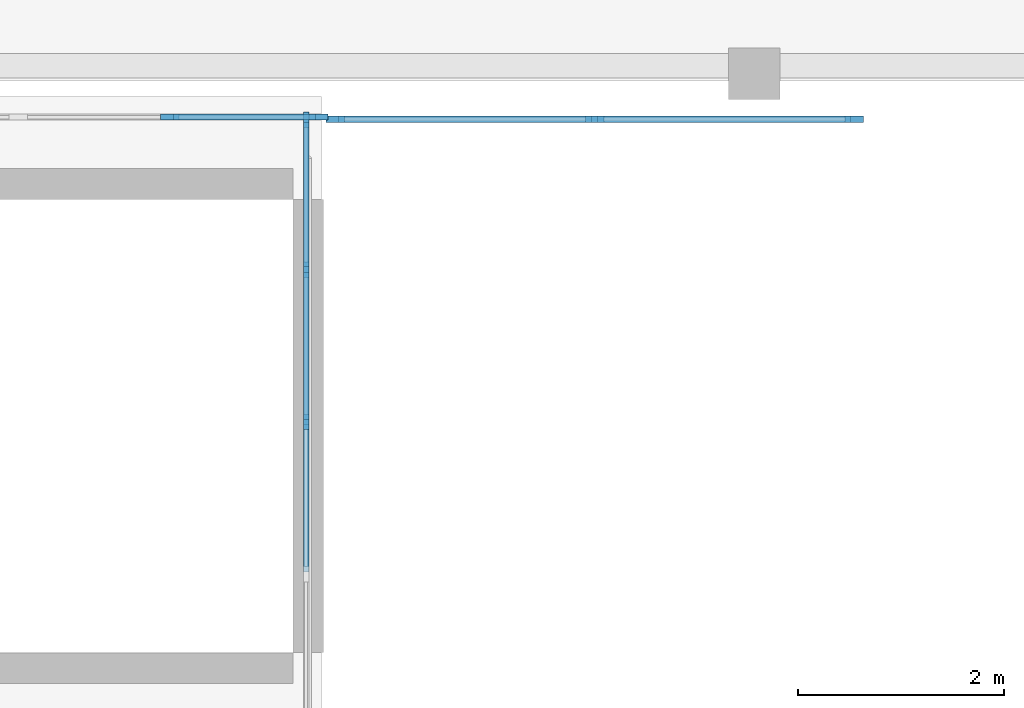
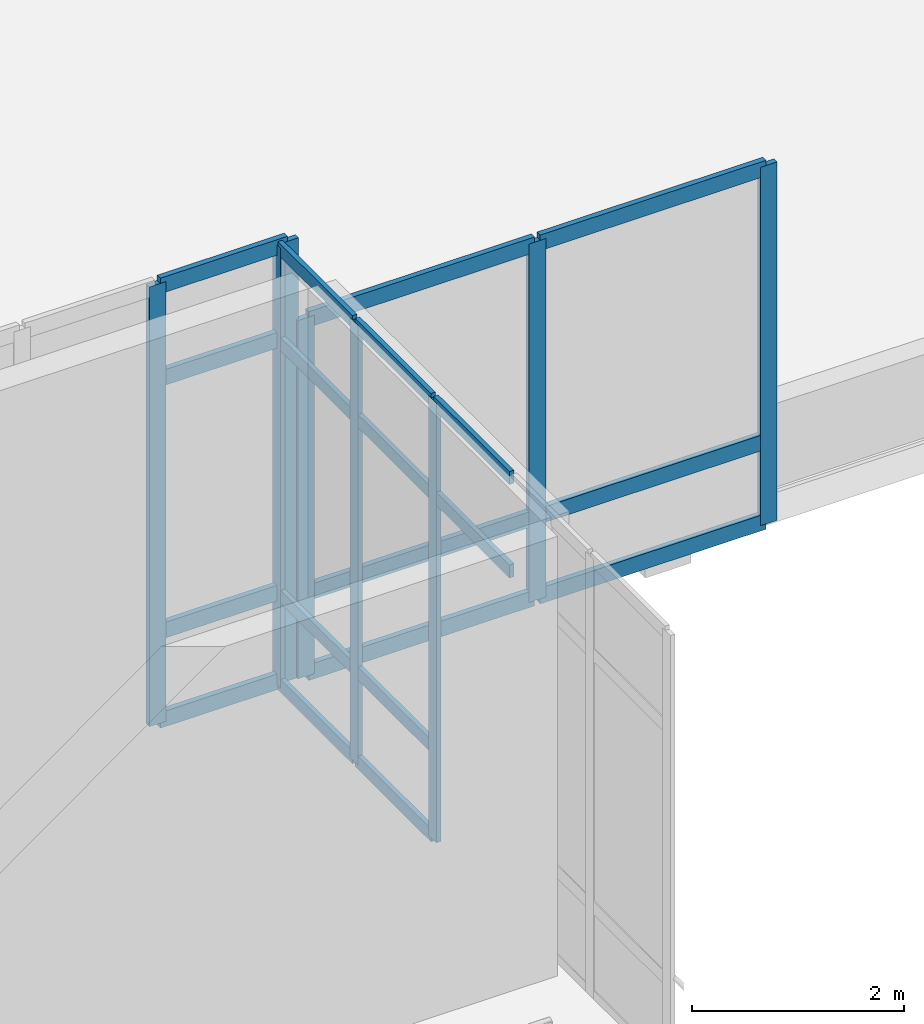
# One storey, part 29 of 55: 28 members, 3 elements without a shape of their own.
"""IFC4 building model written with IfcOpenShell, lengths in metres."""

from ifc_helpers import new_model, si_unit, derived_unit, direction, frame, origin, origin_2d, place, context, subcontext, project, spatial, rectangle, extrude, material, layer, layer_set, material_profile, profile_set, type_object, element, aggregate, save


model = new_model("IFC4")

# Units and contexts
model_context = context("Model", 3, precision=1e-05, world=origin(), true_north=direction((0.0, 1.0)))
body_context = subcontext(model_context, "Body", "Model", "MODEL_VIEW")
ifc_project = project(units=[si_unit("LENGTHUNIT", "METRE"), si_unit("AREAUNIT", "SQUARE_METRE"), si_unit("VOLUMEUNIT", "CUBIC_METRE"), si_unit("PLANEANGLEUNIT", "RADIAN"), si_unit("MASSUNIT", "GRAM", prefix="KILO"), derived_unit("THERMALTRANSMITTANCEUNIT", [(si_unit("MASSUNIT", "GRAM", prefix="KILO"), 1), (si_unit("TIMEUNIT", "SECOND"), -3), (si_unit("THERMODYNAMICTEMPERATUREUNIT", "KELVIN"), -1)])], contexts=[model_context])

# Site, building, storey
site_placement = place(None, origin())
site = spatial("IfcSite", under=ifc_project, at=site_placement, CompositionType="ELEMENT")
building_placement = place(site_placement, origin())
building = spatial("IfcBuilding", under=site, at=building_placement, Name="Valcora Ridge Arena", CompositionType="ELEMENT")
storey_placement = place(building_placement, frame((0.0, 0.0, 21.0)))
storey = spatial("IfcBuildingStorey", under=building, at=storey_placement, Name="L04", CompositionType="ELEMENT", Elevation=21.0)

# Curtain wall, members
ifc_material = material(Name="Anodised dark bronze architectural aluminium 6063-T6", Category="aluminium")
ifc_layer_1 = layer(ifc_material, 0.14990234375, Name="Anodised dark bronze architectural aluminium 6063-T6")
ifc_layer_set_1 = layer_set([ifc_layer_1], Name="Anodised dark bronze architectural aluminium 6063-T6")
curtain_wall_type_1 = type_object("IfcCurtainWallType", Name="TY-CURTAINWALL-CW-V1-EAST-074X51", PredefinedType="NOTDEFINED", material=ifc_layer_set_1)
curtain_wall_1_placement = place(storey_placement, origin())
curtain_wall_1 = element("IfcCurtainWall", 1, at=curtain_wall_1_placement, inside=storey, type_object=curtain_wall_type_1, Name="CW-V1-EAST-074X51 CW-0162", PredefinedType="NOTDEFINED")
ifc_material_profile_1 = material_profile(ifc_material, rectangle(XDim=0.050048828125, YDim=0.14990234375, at=origin_2d()), Name="ALU MULLION 50x150")
ifc_profile_set_1 = profile_set([ifc_material_profile_1], Name="Anodised dark bronze architectural aluminium 6063-T6")
member_type_1 = type_object("IfcMemberType", Name="TY-MEM-CWM-50x150", PredefinedType="MULLION", material=ifc_profile_set_1)
member_1_placement = place(storey_placement, frame((89.64990234375, 105.0400390625, 0.0), z_axis=(0.0, 0.0, 1.0), x_axis=(-1.0, 0.0, 0.0)))
member_1 = element("IfcMember", 2, at=member_1_placement, type_object=member_type_1, Name="CW-0162/CWM-50x150/M03", PredefinedType="MULLION", context=body_context, shape_type="SweptSolid", body=[
    extrude(rectangle(XDim=0.050048828125, YDim=0.14990234375, at=origin_2d()), origin(), (0.0, 0.0, 1.0), 5.06005859375),
])
member_2_placement = place(storey_placement, frame((89.64990234375, 106.52001953125, 0.0), z_axis=(0.0, 0.0, 1.0), x_axis=(-1.0, 0.0, 0.0)))
member_2 = element("IfcMember", 3, at=member_2_placement, type_object=member_type_1, Name="CW-0162/CWM-50x150/M04", PredefinedType="MULLION", context=body_context, shape_type="SweptSolid", body=[
    extrude(rectangle(XDim=0.050048828125, YDim=0.14990234375, at=origin_2d()), origin(), (0.0, 0.0, 1.0), 5.06005859375),
])
member_3_placement = place(storey_placement, frame((89.64990234375, 107.97509765625, 0.0), z_axis=(0.0, 0.0, 1.0), x_axis=(-1.0, 0.0, 0.0)))
member_3 = element("IfcMember", 4, at=member_3_placement, type_object=member_type_1, Name="CW-0162/CWM-50x150/M05", PredefinedType="MULLION", context=body_context, shape_type="SweptSolid", body=[
    extrude(rectangle(XDim=0.050048828125, YDim=0.14990234375, at=origin_2d()), origin(), (0.0, 0.0, 1.0), 5.06005859375),
])

ifc_layer_2 = layer(ifc_material, 0.179931640625, Name="Anodised dark bronze architectural aluminium 6063-T6")
ifc_layer_set_2 = layer_set([ifc_layer_2], Name="Anodised dark bronze architectural aluminium 6063-T6")
curtain_wall_type_2 = type_object("IfcCurtainWallType", Name="TY-CURTAINWALL-CW-V1-GOTH-192X51", PredefinedType="NOTDEFINED", material=ifc_layer_set_2)
curtain_wall_2_placement = place(storey_placement, origin())
curtain_wall_2 = element("IfcCurtainWall", 5, at=curtain_wall_2_placement, inside=storey, type_object=curtain_wall_type_2, Name="CW-V1-GOTH-192X51 CW-0160", PredefinedType="NOTDEFINED")
ifc_material_profile_2 = material_profile(ifc_material, rectangle(XDim=0.06005859375, YDim=0.179931640625, at=origin_2d()), Name="ALU MULLION 60x180")
ifc_profile_set_2 = profile_set([ifc_material_profile_2], Name="Anodised dark bronze architectural aluminium 6063-T6")
member_type_2 = type_object("IfcMemberType", Name="TY-MEM-CWM-60x180", PredefinedType="MULLION", material=ifc_profile_set_2)
member_4_placement = place(storey_placement, frame((88.326171875, 108.0, 0.0), z_axis=(0.0, 0.0, 1.0), x_axis=(0.0, 1.0, 0.0)))
member_4 = element("IfcMember", 6, at=member_4_placement, type_object=member_type_2, Name="CW-0160/CWM-60x180/M12", PredefinedType="MULLION", context=body_context, shape_type="SweptSolid", body=[
    extrude(rectangle(XDim=0.06005859375, YDim=0.179931640625, at=origin_2d()), origin(), (0.0, 0.0, 1.0), 5.06005859375),
])
member_5_placement = place(storey_placement, frame((89.77001953125, 108.0, 0.0), z_axis=(0.0, 0.0, 1.0), x_axis=(0.0, 1.0, 0.0)))
member_5 = element("IfcMember", 7, at=member_5_placement, type_object=member_type_2, Name="CW-0160/CWM-60x180/M13", PredefinedType="MULLION", context=body_context, shape_type="SweptSolid", body=[
    extrude(rectangle(XDim=0.06005859375, YDim=0.179931640625, at=origin_2d()), origin(), (0.0, 0.0, 1.0), 5.06005859375),
])

ifc_layer_3 = layer(ifc_material, 0.179931640625, Name="Anodised dark bronze architectural aluminium 6063-T6")
ifc_layer_set_3 = layer_set([ifc_layer_3], Name="Anodised dark bronze architectural aluminium 6063-T6")
curtain_wall_type_3 = type_object("IfcCurtainWallType", Name="TY-CURTAINWALL-CW-V1-TYMPN-051X41", PredefinedType="NOTDEFINED", material=ifc_layer_set_3)
curtain_wall_3_placement = place(storey_placement, origin())
curtain_wall_3 = element("IfcCurtainWall", 8, at=curtain_wall_3_placement, inside=storey, type_object=curtain_wall_type_3, Name="CW-V1-TYMPN-051X41 CW-0181", PredefinedType="NOTDEFINED")
member_6_placement = place(storey_placement, frame((89.929931640625, 107.97998046875, 0.0), z_axis=(0.0, 0.0, 1.0), x_axis=(0.0, 1.0, 0.0)))
member_6 = element("IfcMember", 9, at=member_6_placement, type_object=member_type_2, Name="CW-0181/CWM-60x180/M00", PredefinedType="MULLION", context=body_context, shape_type="SweptSolid", body=[
    extrude(rectangle(XDim=0.06005859375, YDim=0.179931640625, at=origin_2d()), origin(), (0.0, 0.0, 1.0), 4.12548828125),
])
member_7_placement = place(storey_placement, frame((92.449951171875, 107.97998046875, 0.0), z_axis=(0.0, 0.0, 1.0), x_axis=(0.0, 1.0, 0.0)))
member_7 = element("IfcMember", 10, at=member_7_placement, type_object=member_type_2, Name="CW-0181/CWM-60x180/M01", PredefinedType="MULLION", context=body_context, shape_type="SweptSolid", body=[
    extrude(rectangle(XDim=0.06005859375, YDim=0.179931640625, at=origin_2d()), origin(), (0.0, 0.0, 1.0), 4.12548828125),
])
member_8_placement = place(storey_placement, frame((94.969970703125, 107.97998046875, 0.0), z_axis=(0.0, 0.0, 1.0), x_axis=(0.0, 1.0, 0.0)))
member_8 = element("IfcMember", 11, at=member_8_placement, type_object=member_type_2, Name="CW-0181/CWM-60x180/M02", PredefinedType="MULLION", context=body_context, shape_type="SweptSolid", body=[
    extrude(rectangle(XDim=0.06005859375, YDim=0.179931640625, at=origin_2d()), origin(), (0.0, 0.0, 1.0), 4.12548828125),
])

# Member
ifc_material_profile_3 = material_profile(ifc_material, rectangle(XDim=0.050048828125, YDim=0.14990234375, at=origin_2d()), Name="ALU TRANSOM 50x150")
ifc_profile_set_3 = profile_set([ifc_material_profile_3], Name="Anodised dark bronze architectural aluminium 6063-T6")
member_type_3 = type_object("IfcMemberType", Name="TY-MEM-CWT-50x150", PredefinedType="USERDEFINED", material=ifc_profile_set_3)
member_9_placement = place(storey_placement, frame((89.64990234375, 103.5849609375, 3.9599609375), z_axis=(0.0, 1.0, 0.0), x_axis=(-1.0, 0.0, 0.0)))
member_9 = element("IfcMember", 12, at=member_9_placement, type_object=member_type_3, Name="CW-0162/CWT-50x150/T02-02", ObjectType="TRANSOM", PredefinedType="USERDEFINED", context=body_context, shape_type="SweptSolid", body=[
    extrude(rectangle(XDim=0.050048828125, YDim=0.14990234375, at=origin_2d()), origin(), (0.0, 0.0, 1.0), 1.429931640625),
])

member_10_placement = place(storey_placement, frame((89.64990234375, 103.5849609375, 5.034912109375), z_axis=(0.0, 1.0, 0.0), x_axis=(-1.0, 0.0, 0.0)))
member_10 = element("IfcMember", 13, at=member_10_placement, type_object=member_type_3, Name="CW-0162/CWT-50x150/T02-03", ObjectType="TRANSOM", PredefinedType="USERDEFINED", context=body_context, shape_type="SweptSolid", body=[
    extrude(rectangle(XDim=0.050048828125, YDim=0.14990234375, at=origin_2d()), origin(), (0.0, 0.0, 1.0), 1.429931640625),
])

member_11_placement = place(storey_placement, frame((89.64990234375, 105.06494140625, 0.02490234375), z_axis=(0.0, 1.0, 0.0), x_axis=(-1.0, 0.0, 0.0)))
member_11 = element("IfcMember", 14, at=member_11_placement, type_object=member_type_3, Name="CW-0162/CWT-50x150/T03-00", ObjectType="TRANSOM", PredefinedType="USERDEFINED", context=body_context, shape_type="SweptSolid", body=[
    extrude(rectangle(XDim=0.050048828125, YDim=0.14990234375, at=origin_2d()), origin(), (0.0, 0.0, 1.0), 1.43017578125),
])

member_12_placement = place(storey_placement, frame((89.64990234375, 105.06494140625, 1.050048828125), z_axis=(0.0, 1.0, 0.0), x_axis=(-1.0, 0.0, 0.0)))
member_12 = element("IfcMember", 15, at=member_12_placement, type_object=member_type_3, Name="CW-0162/CWT-50x150/T03-01", ObjectType="TRANSOM", PredefinedType="USERDEFINED", context=body_context, shape_type="SweptSolid", body=[
    extrude(rectangle(XDim=0.050048828125, YDim=0.14990234375, at=origin_2d()), origin(), (0.0, 0.0, 1.0), 1.43017578125),
])

member_13_placement = place(storey_placement, frame((89.64990234375, 105.06494140625, 3.9599609375), z_axis=(0.0, 1.0, 0.0), x_axis=(-1.0, 0.0, 0.0)))
member_13 = element("IfcMember", 16, at=member_13_placement, type_object=member_type_3, Name="CW-0162/CWT-50x150/T03-02", ObjectType="TRANSOM", PredefinedType="USERDEFINED", context=body_context, shape_type="SweptSolid", body=[
    extrude(rectangle(XDim=0.050048828125, YDim=0.14990234375, at=origin_2d()), origin(), (0.0, 0.0, 1.0), 1.43017578125),
])

member_14_placement = place(storey_placement, frame((89.64990234375, 105.06494140625, 5.034912109375), z_axis=(0.0, 1.0, 0.0), x_axis=(-1.0, 0.0, 0.0)))
member_14 = element("IfcMember", 17, at=member_14_placement, type_object=member_type_3, Name="CW-0162/CWT-50x150/T03-03", ObjectType="TRANSOM", PredefinedType="USERDEFINED", context=body_context, shape_type="SweptSolid", body=[
    extrude(rectangle(XDim=0.050048828125, YDim=0.14990234375, at=origin_2d()), origin(), (0.0, 0.0, 1.0), 1.43017578125),
])

member_15_placement = place(storey_placement, frame((89.64990234375, 106.544921875, 0.02490234375), z_axis=(0.0, 1.0, 0.0), x_axis=(-1.0, 0.0, 0.0)))
member_15 = element("IfcMember", 18, at=member_15_placement, type_object=member_type_3, Name="CW-0162/CWT-50x150/T04-00", ObjectType="TRANSOM", PredefinedType="USERDEFINED", context=body_context, shape_type="SweptSolid", body=[
    extrude(rectangle(XDim=0.050048828125, YDim=0.14990234375, at=origin_2d()), origin(), (0.0, 0.0, 1.0), 1.405029296875),
])

member_16_placement = place(storey_placement, frame((89.64990234375, 106.544921875, 1.050048828125), z_axis=(0.0, 1.0, 0.0), x_axis=(-1.0, 0.0, 0.0)))
member_16 = element("IfcMember", 19, at=member_16_placement, type_object=member_type_3, Name="CW-0162/CWT-50x150/T04-01", ObjectType="TRANSOM", PredefinedType="USERDEFINED", context=body_context, shape_type="SweptSolid", body=[
    extrude(rectangle(XDim=0.050048828125, YDim=0.14990234375, at=origin_2d()), origin(), (0.0, 0.0, 1.0), 1.405029296875),
])

member_17_placement = place(storey_placement, frame((89.64990234375, 106.544921875, 3.9599609375), z_axis=(0.0, 1.0, 0.0), x_axis=(-1.0, 0.0, 0.0)))
member_17 = element("IfcMember", 20, at=member_17_placement, type_object=member_type_3, Name="CW-0162/CWT-50x150/T04-02", ObjectType="TRANSOM", PredefinedType="USERDEFINED", context=body_context, shape_type="SweptSolid", body=[
    extrude(rectangle(XDim=0.050048828125, YDim=0.14990234375, at=origin_2d()), origin(), (0.0, 0.0, 1.0), 1.405029296875),
])

member_18_placement = place(storey_placement, frame((89.64990234375, 106.544921875, 5.034912109375), z_axis=(0.0, 1.0, 0.0), x_axis=(-1.0, 0.0, 0.0)))
member_18 = element("IfcMember", 21, at=member_18_placement, type_object=member_type_3, Name="CW-0162/CWT-50x150/T04-03", ObjectType="TRANSOM", PredefinedType="USERDEFINED", context=body_context, shape_type="SweptSolid", body=[
    extrude(rectangle(XDim=0.050048828125, YDim=0.14990234375, at=origin_2d()), origin(), (0.0, 0.0, 1.0), 1.405029296875),
])

aggregate(curtain_wall_1, [member_1, member_2, member_3, member_9, member_10, member_11, member_12, member_13, member_14, member_15, member_16, member_17, member_18])

ifc_material_profile_4 = material_profile(ifc_material, rectangle(XDim=0.06005859375, YDim=0.179931640625, at=origin_2d()), Name="ALU TRANSOM 60x180")
ifc_profile_set_4 = profile_set([ifc_material_profile_4], Name="Anodised dark bronze architectural aluminium 6063-T6")
member_type_4 = type_object("IfcMemberType", Name="TY-MEM-CWT-60x180", PredefinedType="USERDEFINED", material=ifc_profile_set_4)
member_19_placement = place(storey_placement, frame((88.35595703125, 108.0, 0.030029296875), z_axis=(1.0, 0.0, 0.0), x_axis=(0.0, 1.0, 0.0)))
member_19 = element("IfcMember", 22, at=member_19_placement, type_object=member_type_4, Name="CW-0160/CWT-60x180/T12-00", ObjectType="TRANSOM", PredefinedType="USERDEFINED", context=body_context, shape_type="SweptSolid", body=[
    extrude(rectangle(XDim=0.06005859375, YDim=0.179931640625, at=origin_2d()), origin(), (0.0, 0.0, 1.0), 1.384033203125),
])

member_20_placement = place(storey_placement, frame((88.35595703125, 108.0, 1.050048828125), z_axis=(1.0, 0.0, 0.0), x_axis=(0.0, 1.0, 0.0)))
member_20 = element("IfcMember", 23, at=member_20_placement, type_object=member_type_4, Name="CW-0160/CWT-60x180/T12-01", ObjectType="TRANSOM", PredefinedType="USERDEFINED", context=body_context, shape_type="SweptSolid", body=[
    extrude(rectangle(XDim=0.06005859375, YDim=0.179931640625, at=origin_2d()), origin(), (0.0, 0.0, 1.0), 1.384033203125),
])

member_21_placement = place(storey_placement, frame((88.35595703125, 108.0, 3.9599609375), z_axis=(1.0, 0.0, 0.0), x_axis=(0.0, 1.0, 0.0)))
member_21 = element("IfcMember", 24, at=member_21_placement, type_object=member_type_4, Name="CW-0160/CWT-60x180/T12-02", ObjectType="TRANSOM", PredefinedType="USERDEFINED", context=body_context, shape_type="SweptSolid", body=[
    extrude(rectangle(XDim=0.06005859375, YDim=0.179931640625, at=origin_2d()), origin(), (0.0, 0.0, 1.0), 1.384033203125),
])

member_22_placement = place(storey_placement, frame((88.35595703125, 108.0, 5.030029296875), z_axis=(1.0, 0.0, 0.0), x_axis=(0.0, 1.0, 0.0)))
member_22 = element("IfcMember", 25, at=member_22_placement, type_object=member_type_4, Name="CW-0160/CWT-60x180/T12-03", ObjectType="TRANSOM", PredefinedType="USERDEFINED", context=body_context, shape_type="SweptSolid", body=[
    extrude(rectangle(XDim=0.06005859375, YDim=0.179931640625, at=origin_2d()), origin(), (0.0, 0.0, 1.0), 1.384033203125),
])

aggregate(curtain_wall_2, [member_4, member_5, member_19, member_20, member_21, member_22])

member_23_placement = place(storey_placement, frame((89.9599609375, 107.97998046875, 0.030029296875), z_axis=(1.0, 0.0, 0.0), x_axis=(0.0, 1.0, 0.0)))
member_23 = element("IfcMember", 26, at=member_23_placement, type_object=member_type_4, Name="CW-0181/CWT-60x180/T00-00", ObjectType="TRANSOM", PredefinedType="USERDEFINED", context=body_context, shape_type="SweptSolid", body=[
    extrude(rectangle(XDim=0.06005859375, YDim=0.179931640625, at=origin_2d()), origin(), (0.0, 0.0, 1.0), 2.4599609375),
])

member_24_placement = place(storey_placement, frame((89.9599609375, 107.97998046875, 0.949951171875), z_axis=(1.0, 0.0, 0.0), x_axis=(0.0, 1.0, 0.0)))
member_24 = element("IfcMember", 27, at=member_24_placement, type_object=member_type_4, Name="CW-0181/CWT-60x180/T00-01", ObjectType="TRANSOM", PredefinedType="USERDEFINED", context=body_context, shape_type="SweptSolid", body=[
    extrude(rectangle(XDim=0.06005859375, YDim=0.179931640625, at=origin_2d()), origin(), (0.0, 0.0, 1.0), 2.4599609375),
])

member_25_placement = place(storey_placement, frame((89.9599609375, 107.97998046875, 4.095458984375), z_axis=(1.0, 0.0, 0.0), x_axis=(0.0, 1.0, 0.0)))
member_25 = element("IfcMember", 28, at=member_25_placement, type_object=member_type_4, Name="CW-0181/CWT-60x180/T00-02", ObjectType="TRANSOM", PredefinedType="USERDEFINED", context=body_context, shape_type="SweptSolid", body=[
    extrude(rectangle(XDim=0.06005859375, YDim=0.179931640625, at=origin_2d()), origin(), (0.0, 0.0, 1.0), 2.4599609375),
])

member_26_placement = place(storey_placement, frame((92.47998046875, 107.97998046875, 0.030029296875), z_axis=(1.0, 0.0, 0.0), x_axis=(0.0, 1.0, 0.0)))
member_26 = element("IfcMember", 29, at=member_26_placement, type_object=member_type_4, Name="CW-0181/CWT-60x180/T01-00", ObjectType="TRANSOM", PredefinedType="USERDEFINED", context=body_context, shape_type="SweptSolid", body=[
    extrude(rectangle(XDim=0.06005859375, YDim=0.179931640625, at=origin_2d()), origin(), (0.0, 0.0, 1.0), 2.4599609375),
])

member_27_placement = place(storey_placement, frame((92.47998046875, 107.97998046875, 0.949951171875), z_axis=(1.0, 0.0, 0.0), x_axis=(0.0, 1.0, 0.0)))
member_27 = element("IfcMember", 30, at=member_27_placement, type_object=member_type_4, Name="CW-0181/CWT-60x180/T01-01", ObjectType="TRANSOM", PredefinedType="USERDEFINED", context=body_context, shape_type="SweptSolid", body=[
    extrude(rectangle(XDim=0.06005859375, YDim=0.179931640625, at=origin_2d()), origin(), (0.0, 0.0, 1.0), 2.4599609375),
])

member_28_placement = place(storey_placement, frame((92.47998046875, 107.97998046875, 4.095458984375), z_axis=(1.0, 0.0, 0.0), x_axis=(0.0, 1.0, 0.0)))
member_28 = element("IfcMember", 31, at=member_28_placement, type_object=member_type_4, Name="CW-0181/CWT-60x180/T01-02", ObjectType="TRANSOM", PredefinedType="USERDEFINED", context=body_context, shape_type="SweptSolid", body=[
    extrude(rectangle(XDim=0.06005859375, YDim=0.179931640625, at=origin_2d()), origin(), (0.0, 0.0, 1.0), 2.4599609375),
])

aggregate(curtain_wall_3, [member_6, member_7, member_8, member_23, member_24, member_25, member_26, member_27, member_28])

save(model, "model.ifc")
